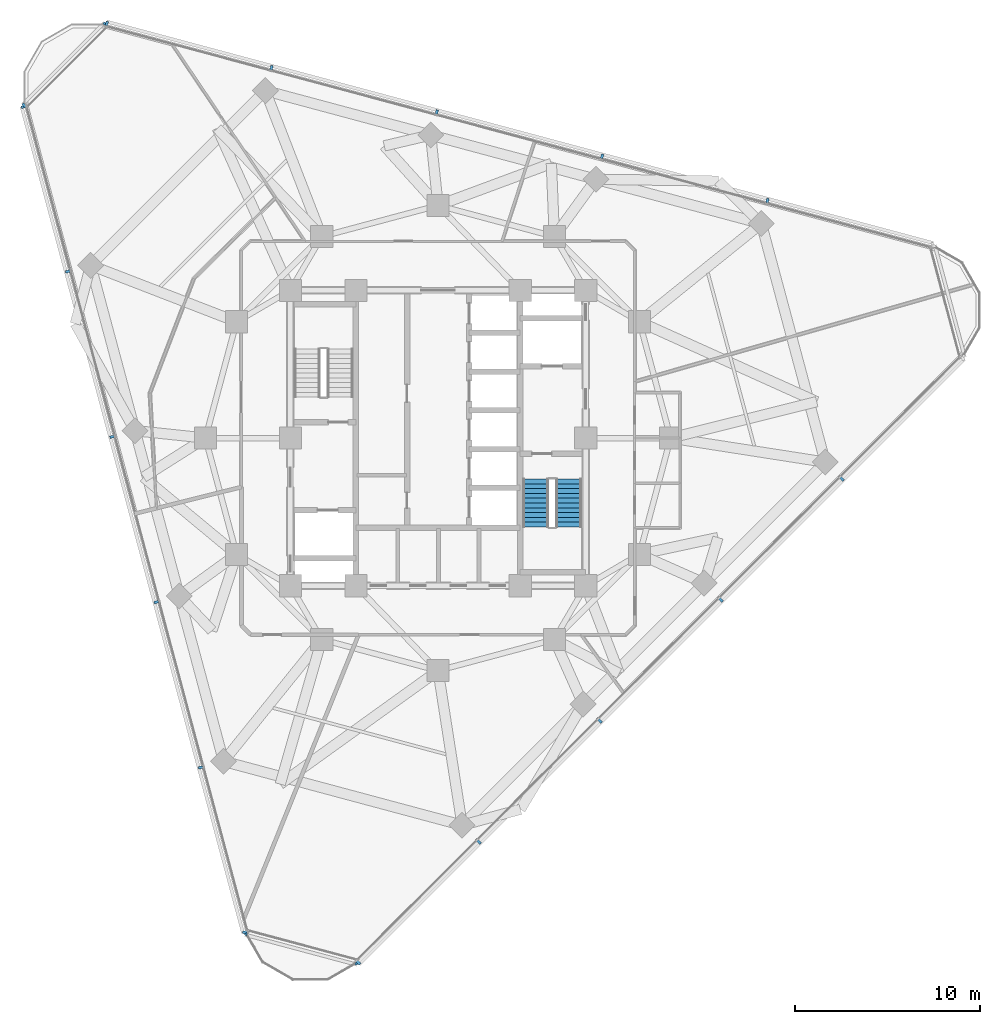
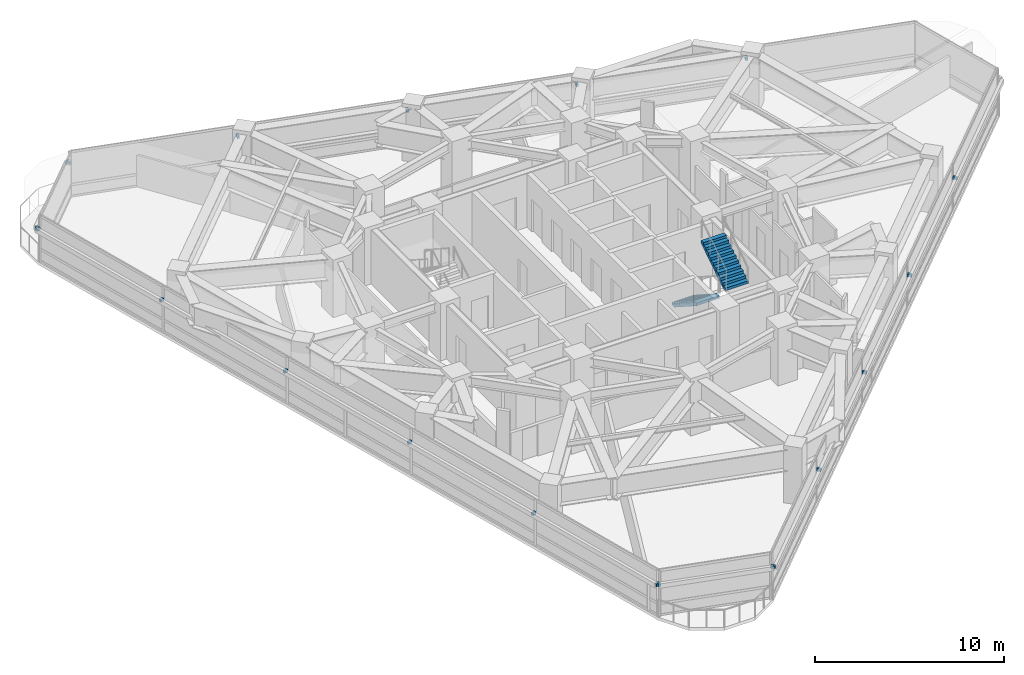
# One storey, part 10 of 15: 20 discrete accessories, 2 stair flights, 1 element without a shape of its own.
"""IFC4 building model written with IfcOpenShell, lengths in metres."""

from ifc_helpers import new_model, si_unit, direction, frame, origin, origin_2d, place, context, subcontext, project, spatial, polyline, rectangle, outline, extrude, material, type_object, element, aggregate, save


model = new_model("IFC4")

# Units and contexts
model_context = context("Model", 3, precision=1e-05, world=origin(), true_north=direction((0.0, 1.0)))
body_context = subcontext(model_context, "Body", "Model", "MODEL_VIEW")
ifc_project = project(units=[si_unit("LENGTHUNIT", "METRE"), si_unit("AREAUNIT", "SQUARE_METRE"), si_unit("VOLUMEUNIT", "CUBIC_METRE"), si_unit("PLANEANGLEUNIT", "RADIAN"), si_unit("MASSUNIT", "GRAM", prefix="KILO")], contexts=[model_context])

# Site, building, storey
site_placement = place(None, origin())
site = spatial("IfcSite", under=ifc_project, at=site_placement, CompositionType="ELEMENT")
building_placement = place(site_placement, origin())
building = spatial("IfcBuilding", under=site, at=building_placement, Name="Terralouvre Media Tower", CompositionType="ELEMENT")
storey_placement = place(building_placement, frame((0.0, 0.0, 210.10009765625)))
storey = spatial("IfcBuildingStorey", under=building, at=storey_placement, Name="L54", CompositionType="ELEMENT", Elevation=210.10009765625)

# Stair, stair flights
ifc_material_1 = material(Name="Concrete C45/55", Category="concrete")
stair_type = type_object("IfcStairType", Name="Dogleg Stair Assembly ST-02", PredefinedType="HALF_TURN_STAIR", material=ifc_material_1)
stair_placement = place(storey_placement, origin())
stair = element("IfcStair", 1, at=stair_placement, inside=storey, type_object=stair_type, Name="L54 Core Pressurised Exit Stair ST-02", PredefinedType="HALF_TURN_STAIR")
ifc_material_2 = material(Name="Concrete C45/55", Category="concrete")
stair_flight_type = type_object("IfcStairFlightType", Name="Reinforced Concrete Stair Flight SF-RC1", PredefinedType="STRAIGHT", material=ifc_material_2)
stair_flight_1_placement = place(storey_placement, frame((5.300048828125, -2.219970703125, 0.0), z_axis=(0.0, 0.0, 1.0), x_axis=(0.0, -1.0, 0.0)))
stair_flight_1 = element("IfcStairFlight", 2, at=stair_flight_1_placement, type_object=stair_flight_type, Name="ST-02 flight 1", NumberOfRisers=11, NumberOfTreads=10, PredefinedType="STRAIGHT", RiserHeight=0.168181818, TreadLength=0.26, context=body_context, shape_type="SweptSolid", body=[
    extrude(outline(polyline([(0.0, 0.0), (0.0, 0.168212890625), (0.260009765625, 0.168212890625), (0.260009765625, 0.33642578125), (0.52001953125, 0.33642578125), (0.52001953125, 0.504638671875), (0.780029296875, 0.504638671875), (0.780029296875, 0.672607421875), (1.0400390625, 0.672607421875), (1.0400390625, 0.8408203125), (1.300048828125, 0.8408203125), (1.300048828125, 1.009033203125), (1.56005859375, 1.009033203125), (1.56005859375, 1.17724609375), (1.820068359375, 1.17724609375), (1.820068359375, 1.345458984375), (2.080078125, 1.345458984375), (2.080078125, 1.513671875), (2.340087890625, 1.513671875), (2.340087890625, 1.681884765625), (2.60009765625, 1.681884765625), (2.60009765625, 1.85009765625), (2.60009765625, 1.503173828125), (0.27587890625, 0.0), (0.0, 0.0)])), frame((0.0, 0.699951171875, 0.0), z_axis=(0.0, -1.0, 0.0), x_axis=(1.0, 0.0, 0.0)), (0.0, 0.0, 1.0), 1.39990234375),
])
stair_flight_2_placement = place(storey_placement, frame((7.080078125, -4.820068359375, 1.849853515625), z_axis=(0.0, 0.0, 1.0), x_axis=(0.0, 1.0, 0.0)))
stair_flight_2 = element("IfcStairFlight", 3, at=stair_flight_2_placement, type_object=stair_flight_type, Name="ST-02 flight 2", NumberOfRisers=11, NumberOfTreads=10, PredefinedType="STRAIGHT", RiserHeight=0.168181818, TreadLength=0.26, context=body_context, shape_type="SweptSolid", body=[
    extrude(outline(polyline([(0.0, 0.0), (0.0, 0.168212890625), (0.260009765625, 0.168212890625), (0.260009765625, 0.33642578125), (0.52001953125, 0.33642578125), (0.52001953125, 0.504638671875), (0.780029296875, 0.504638671875), (0.780029296875, 0.672607421875), (1.0400390625, 0.672607421875), (1.0400390625, 0.8408203125), (1.300048828125, 0.8408203125), (1.300048828125, 1.009033203125), (1.56005859375, 1.009033203125), (1.56005859375, 1.17724609375), (1.820068359375, 1.17724609375), (1.820068359375, 1.345458984375), (2.080078125, 1.345458984375), (2.080078125, 1.513671875), (2.340087890625, 1.513671875), (2.340087890625, 1.681884765625), (2.60009765625, 1.681884765625), (2.60009765625, 1.85009765625), (2.60009765625, 1.503173828125), (0.27587890625, 0.0), (0.0, 0.0)])), frame((0.0, 0.699951171875, 0.0), z_axis=(0.0, -1.0, 0.0), x_axis=(1.0, 0.0, 0.0)), (0.0, 0.0, 1.0), 1.39990234375),
])
aggregate(stair, [stair_flight_1, stair_flight_2])

# Discrete accessories
ifc_material_3 = material(Name="Anodised extruded aluminium 6063-T6", Category="aluminium")
discrete_accessory_type = type_object("IfcDiscreteAccessoryType", Name="Mullion Stand-Off Baguette Fixing Bracket BK-01", PredefinedType="BRACKET", material=ifc_material_3)
for number, where, z_axis, x_axis, name in (
    (4, (-4.31298828125, -28.41552734375, 2.04931640625), (0.0, 0.0, 1.0), (0.707106781187, 0.707106781187, 0.0), "CW-L54-F0 Baguette Outrigger Bracket 1.01"),
    (5, (2.216796875, -21.8857421875, 2.04931640625), (0.0, 0.0, 1.0), (0.707106781187, 0.707106781187, 0.0), "CW-L54-F0 Baguette Outrigger Bracket 1.02"),
    (6, (8.77294921875, -15.329345703125, 2.04931640625), (0.0, 0.0, 1.0), (0.707106781187, 0.707106781187, 0.0), "CW-L54-F0 Baguette Outrigger Bracket 1.03"),
    (7, (15.329345703125, -8.77294921875, 2.04931640625), (0.0, 0.0, 1.0), (0.707106781187, 0.707106781187, 0.0), "CW-L54-F0 Baguette Outrigger Bracket 1.04"),
    (8, (21.8857421875, -2.216796875, 2.04931640625), (0.0, 0.0, 1.0), (0.707106781187, 0.707106781187, 0.0), "CW-L54-F0 Baguette Outrigger Bracket 1.05"),
    (9, (17.84521484375, 12.862548828125, 2.04931640625), (0.0, 0.0, 1.0), (-0.96592582942, 0.25881903342, 0.0), "CW-L54-F1 Baguette Outrigger Bracket 1.02"),
    (10, (8.88916015625, 15.262451171875, 2.04931640625), (0.0, 0.0, 1.0), (-0.96592582942, 0.25881903342, 0.0), "CW-L54-F1 Baguette Outrigger Bracket 1.03"),
    (11, (-0.06689453125, 17.662109375, 2.04931640625), (0.0, 0.0, 1.0), (-0.96592582942, 0.25881903342, 0.0), "CW-L54-F1 Baguette Outrigger Bracket 1.04"),
    (12, (-9.02294921875, 20.06201171875, 2.04931640625), (0.0, 0.0, 1.0), (-0.96592582942, 0.25881903342, 0.0), "CW-L54-F1 Baguette Outrigger Bracket 1.05"),
    (13, (-17.94287109375, 22.451904296875, 2.04931640625), (0.0, 0.0, 1.0), (-0.96592582942, 0.25881903342, 0.0), "CW-L54-F1 Baguette Outrigger Bracket 1.06"),
    (14, (-22.451904296875, 17.94287109375, 2.04931640625), (0.0, 0.0, 1.0), (0.25881903342, -0.96592582942, 0.0), "CW-L54-F2 Baguette Outrigger Bracket 1.01"),
    (15, (-20.06201171875, 9.02294921875, 2.04931640625), (0.0, 0.0, 1.0), (0.25881903342, -0.96592582942, 0.0), "CW-L54-F2 Baguette Outrigger Bracket 1.02"),
    (16, (-17.662109375, 0.06689453125, 2.04931640625), (0.0, 0.0, 1.0), (0.25881903342, -0.96592582942, 0.0), "CW-L54-F2 Baguette Outrigger Bracket 1.03"),
    (17, (-15.262451171875, -8.88916015625, 2.04931640625), (0.0, 0.0, 1.0), (0.25881903342, -0.96592582942, 0.0), "CW-L54-F2 Baguette Outrigger Bracket 1.04"),
    (18, (-12.862548828125, -17.84521484375, 2.04931640625), (0.0, 0.0, 1.0), (0.25881903342, -0.96592582942, 0.0), "CW-L54-F2 Baguette Outrigger Bracket 1.05"),
    (19, (-10.472412109375, -26.764892578125, 2.04931640625), (0.0, 0.0, 1.0), (0.25881903342, -0.96592582942, 0.0), "CW-L54-F2 Baguette Outrigger Bracket 1.06"),
    (20, (-10.39306640625, -26.81982421875, 2.04931640625), (0.0, 0.0, 1.0), (0.965925911218, -0.258818728144, 0.0), "CW-L54-C0 Baguette Outrigger Bracket 1.01"),
    (21, (-4.4091796875, -28.42333984375, 2.04931640625), (0.0, 0.0, 1.0), (0.965925911218, -0.258818728144, 0.0), "CW-L54-C0 Baguette Outrigger Bracket 1.02"),
    (22, (-18.030029296875, 22.41064453125, 2.04931640625), (0.0, 0.0, 1.0), (-0.707106781187, -0.707106781187, 0.0), "CW-L54-C2 Baguette Outrigger Bracket 1.01"),
    (23, (-22.41064453125, 18.030029296875, 2.04931640625), (0.0, 0.0, 1.0), (-0.707106781187, -0.707106781187, 0.0), "CW-L54-C2 Baguette Outrigger Bracket 1.02"),
):
    element("IfcDiscreteAccessory", number, at=place(storey_placement, frame(where, z_axis=z_axis, x_axis=x_axis)), inside=storey, type_object=discrete_accessory_type, Name=name, PredefinedType="BRACKET", context=body_context, shape_type="SweptSolid", body=[
        extrude(rectangle(XDim=0.139892578125, YDim=0.239990234375, at=origin_2d()), origin(), (0.0, 0.0, 1.0), 0.179931640625),
    ])

save(model, "model.ifc")
